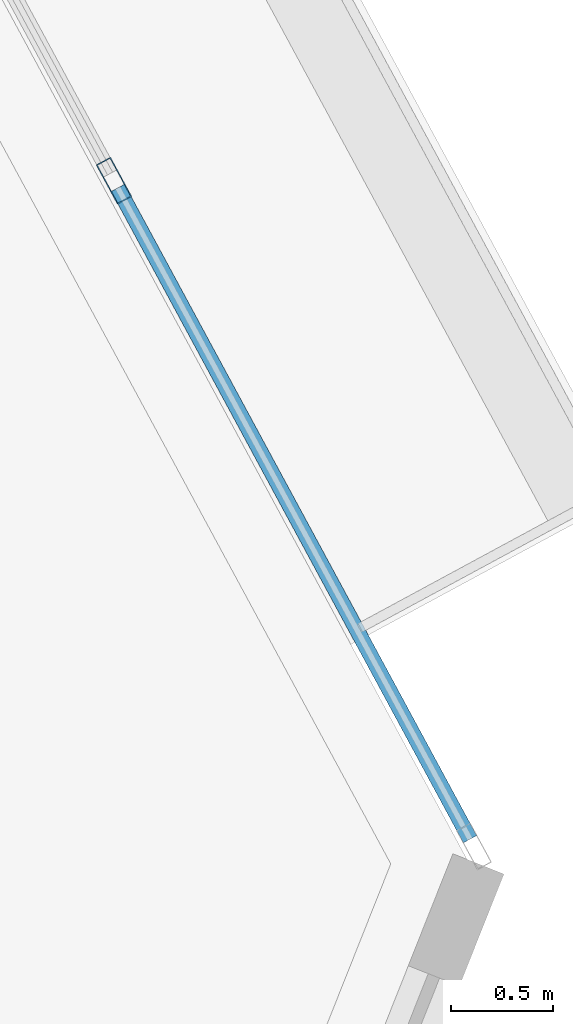
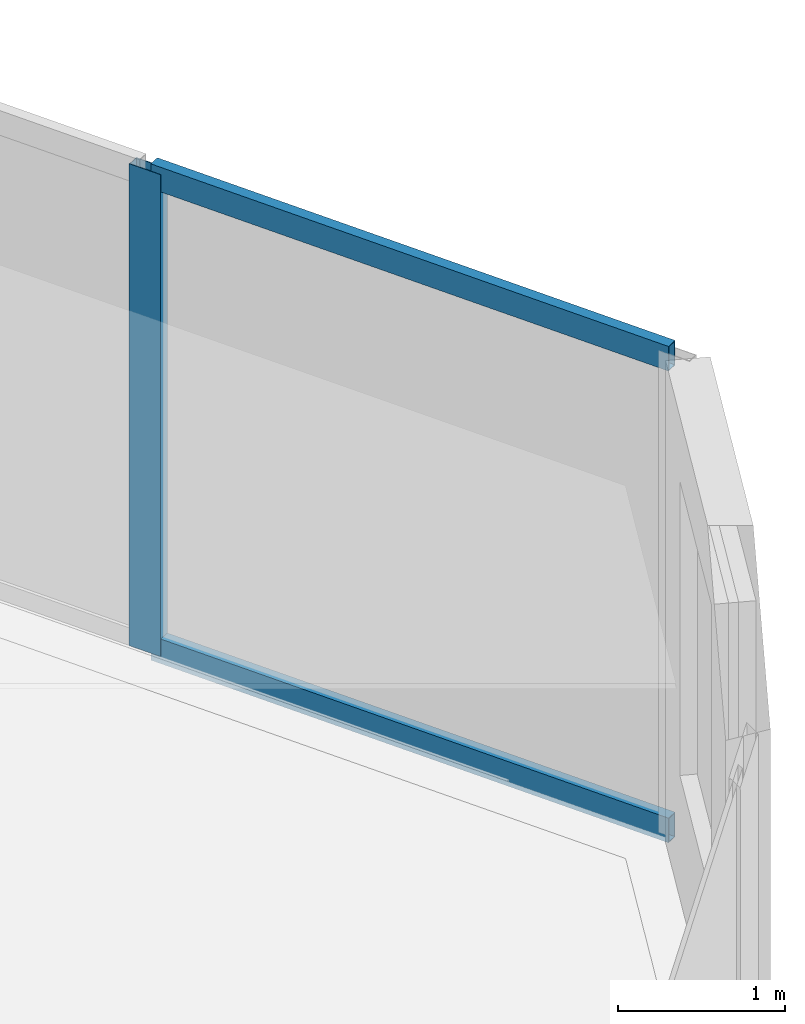
# One storey, part 13 of 23: 3 members, 1 element without a shape of its own.
"""IFC4 building model written with IfcOpenShell, lengths in metres."""

from ifc_helpers import new_model, si_unit, direction, frame, origin, origin_2d, place, context, subcontext, project, spatial, hollow_rectangle, extrude, source, transform, mapped, material, layer, layer_set, material_profile, profile_set, type_object, type_shapes, element, aggregate, save


model = new_model("IFC4")

# Units and contexts
model_context = context("Model", 3, precision=1e-05, world=origin(), true_north=direction((0.0, 1.0)))
body_context = subcontext(model_context, "Body", "Model", "MODEL_VIEW")
ifc_project = project(units=[si_unit("LENGTHUNIT", "METRE"), si_unit("AREAUNIT", "SQUARE_METRE"), si_unit("VOLUMEUNIT", "CUBIC_METRE"), si_unit("PLANEANGLEUNIT", "RADIAN"), si_unit("MASSUNIT", "GRAM", prefix="KILO")], contexts=[model_context])

# Site, building, storey
site_placement = place(None, origin())
site = spatial("IfcSite", under=ifc_project, at=site_placement, CompositionType="ELEMENT")
building_placement = place(site_placement, origin())
building = spatial("IfcBuilding", under=site, at=building_placement, Name="Talar Marvaseh", CompositionType="ELEMENT")
storey_placement = place(building_placement, frame((0.0, 0.0, 50.60009765625)))
storey = spatial("IfcBuildingStorey", under=building, at=storey_placement, Name="L12", CompositionType="ELEMENT", Elevation=50.60009765625)

# Curtain wall, members
ifc_material = material(Name="Architectural Aluminium", Category="aluminium")
ifc_layer = layer(ifc_material, 0.219970703125)
ifc_layer_set = layer_set([ifc_layer], Name="Architectural Aluminium")
curtain_wall_type = type_object("IfcCurtainWallType", Name="Unitised Low-E Museum Curtain Wall Z1", PredefinedType="NOTDEFINED", material=ifc_layer_set)
curtain_wall_placement = place(storey_placement, origin())
curtain_wall = element("IfcCurtainWall", 1, at=curtain_wall_placement, inside=storey, type_object=curtain_wall_type, Name="L12 Unitised Low-E Museum Curtain Wall Z1", PredefinedType="NOTDEFINED")
ifc_material_profile_1 = material_profile(ifc_material, hollow_rectangle(XDim=0.080078125, YDim=0.219970703125, WallThickness=0.0048828125, at=origin_2d()), Name="RHS220x80x5")
ifc_profile_set_1 = profile_set([ifc_material_profile_1], Name="Architectural Aluminium")
member_type_1 = type_object("IfcMemberType", Name="Unitised Curtain Wall Heavy Mullion RHS220x80x5", PredefinedType="MULLION", material=ifc_profile_set_1)
shared_shape_1 = source(origin(), body_context, "Body", "SweptSolid", [
    extrude(hollow_rectangle(XDim=0.080078125, YDim=0.219970703125, WallThickness=0.0048828125, at=origin_2d()), origin(), (0.0, 0.0, 1.0), 3.52001953125),
])
type_shapes(member_type_1, [shared_shape_1])
member_1_placement = place(storey_placement, frame((50.458740234375, 28.21533203125, 0.0), z_axis=(0.0, 0.0, 1.0), x_axis=(0.879620132192, 0.475676805238, 0.0)))
member_1 = element("IfcMember", 2, at=member_1_placement, type_object=member_type_1, Name="CW-Z1 mullion 2", PredefinedType="MULLION", context=body_context, shape_type="MappedRepresentation", body=[
    mapped(shared_shape_1, transform((0.0, 0.0, 0.0), x_axis=(1.0, 0.0, 0.0), y_axis=(0.0, 1.0, 0.0), z_axis=(0.0, 0.0, 1.0), scale=1.0)),
])
ifc_material_profile_2 = material_profile(ifc_material, hollow_rectangle(XDim=0.074951171875, YDim=0.179931640625, WallThickness=0.0048828125, at=origin_2d()), Name="RHS180x75x5")
ifc_profile_set_2 = profile_set([ifc_material_profile_2], Name="Architectural Aluminium")
member_type_2 = type_object("IfcMemberType", Name="Unitised Curtain Wall Transom RHS180x75x5", PredefinedType="USERDEFINED", material=ifc_profile_set_2)
shared_shape_2 = source(origin(), body_context, "Body", "SweptSolid", [
    extrude(hollow_rectangle(XDim=0.074951171875, YDim=0.179931640625, WallThickness=0.0048828125, at=origin_2d()), origin(), (0.0, 0.0, 1.0), 3.636962890625),
])
type_shapes(member_type_2, [shared_shape_2])
member_2_placement = place(storey_placement, frame((50.477783203125, 28.18017578125, 0.037353515625), z_axis=(0.475660236883, -0.879629091747, 0.0), x_axis=(0.879629091747, 0.475660236883, 0.0)))
member_2 = element("IfcMember", 3, at=member_2_placement, type_object=member_type_2, Name="CW-Z1 transom 2.1", ObjectType="TRANSOM", PredefinedType="USERDEFINED", context=body_context, shape_type="MappedRepresentation", body=[
    mapped(shared_shape_2, transform((0.0, 0.0, 0.0), x_axis=(1.0, 0.0, 0.0), y_axis=(0.0, 1.0, 0.0), z_axis=(0.0, 0.0, 1.0), scale=1.0)),
])
member_3_placement = place(storey_placement, frame((50.477783203125, 28.18017578125, 3.482421875), z_axis=(0.475660236883, -0.879629091747, 0.0), x_axis=(0.879629091747, 0.475660236883, 0.0)))
member_3 = element("IfcMember", 4, at=member_3_placement, type_object=member_type_2, Name="CW-Z1 transom 2.2", ObjectType="TRANSOM", PredefinedType="USERDEFINED", context=body_context, shape_type="MappedRepresentation", body=[
    mapped(shared_shape_2, transform((0.0, 0.0, 0.0), x_axis=(1.0, 0.0, 0.0), y_axis=(0.0, 1.0, 0.0), z_axis=(0.0, 0.0, 1.0), scale=1.0)),
])
aggregate(curtain_wall, [member_1, member_2, member_3])

save(model, "model.ifc")
